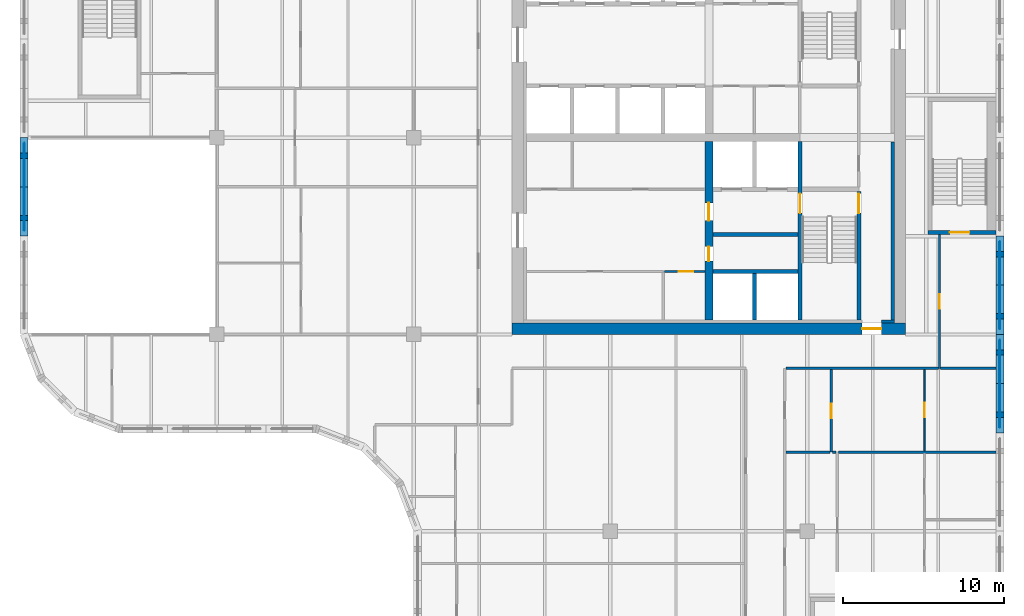
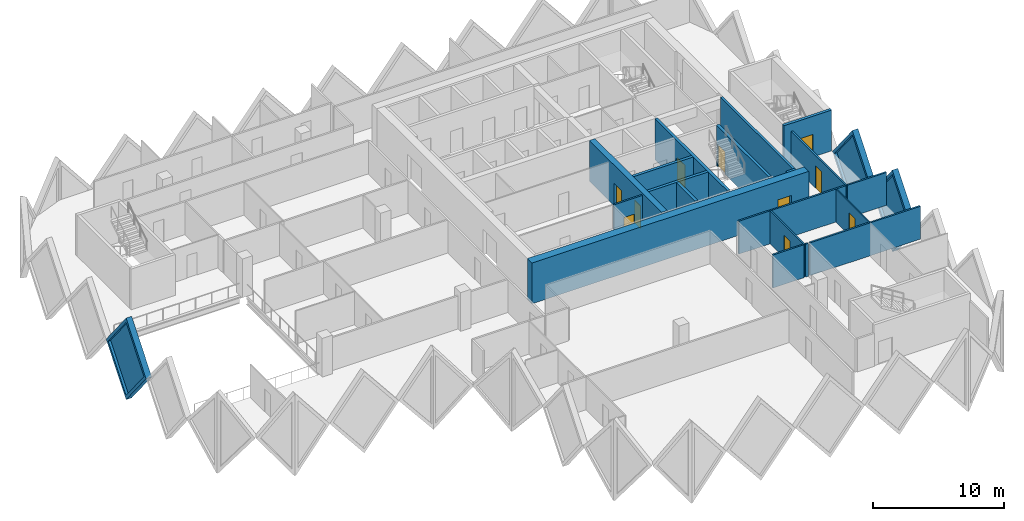
# One storey, part 6 of 12: 22 walls, 10 doors, 3 plates, 13 openings.
"""IFC4 building model written with IfcOpenShell, lengths in metres."""

from ifc_helpers import new_model, si_unit, direction, frame, frame_2d, origin, place, context, subcontext, project, spatial, polyline, rectangle, outline, extrude, faceted_brep, source, transform, mapped, material, layer, layer_set, type_object, element, fill, save


model = new_model("IFC4")

# Units and contexts
model_context = context("Model", 3, precision=1e-05, world=origin(), true_north=direction((0.0, 1.0)))
body_context = subcontext(model_context, "Body", "Model", "MODEL_VIEW")
ifc_project = project(units=[si_unit("LENGTHUNIT", "METRE"), si_unit("AREAUNIT", "SQUARE_METRE"), si_unit("VOLUMEUNIT", "CUBIC_METRE"), si_unit("PLANEANGLEUNIT", "RADIAN"), si_unit("MASSUNIT", "GRAM", prefix="KILO")], contexts=[model_context])

# Site, building, storey
site_placement = place(None, origin())
site = spatial("IfcSite", under=ifc_project, at=site_placement, CompositionType="ELEMENT")
building_placement = place(site_placement, origin())
building = spatial("IfcBuilding", under=site, at=building_placement, Name="Tessera Gate Towers", CompositionType="ELEMENT")
storey_placement = place(building_placement, frame((0.0, 0.0, 135.39990234375)))
storey = spatial("IfcBuildingStorey", under=building, at=storey_placement, Name="L33", CompositionType="ELEMENT", Elevation=135.39990234375)

# Wall, opening, door
ifc_material_1 = material(Name="Concrete C40/50", Category="concrete")
ifc_layer_1 = layer(ifc_material_1, 0.25)
ifc_layer_set_1 = layer_set([ifc_layer_1], Name="CORE ENCLOSURE WALL 250")
wall_type_1 = type_object("IfcWallType", Name="CORE ENCLOSURE WALL 250", PredefinedType="SOLIDWALL", material=ifc_layer_set_1)
wall_1_placement = place(storey_placement, frame((48.35009765625, 36.35009765625, 0.0), z_axis=(0.0, 0.0, 1.0), x_axis=(0.0, -1.0, 0.0)))
wall_1 = element("IfcWall", 1, at=wall_1_placement, inside=storey, type_object=wall_type_1, Name="L33 shaft and stair enclosure wall", PredefinedType="SOLIDWALL", context=body_context, shape_type="SweptSolid", body=[
    extrude(rectangle(XDim=11.050048828125, YDim=0.25, at=frame_2d((5.52490234375, 0.0))), origin(), (0.0, 0.0, 1.0), 3.800048828125),
])
shared_shape_1 = source(origin(), body_context, "Body", "SweptSolid", [
    extrude(rectangle(XDim=1.199951171875, YDim=2.10009765625, at=frame_2d((0.60009765625, 1.050048828125))), frame((0.0, 0.135009765625, 0.0), z_axis=(0.0, -1.0, 0.0), x_axis=(1.0, 0.0, 0.0)), (0.0, 0.0, 1.0), 0.27001953125),
])
opening_1_placement = place(wall_1_placement, frame((3.22509765625, 0.0, 0.0)))
opening_1 = element("IfcOpeningElement", 2, at=opening_1_placement, cuts=wall_1, Name="Opening SD-ST1-1", PredefinedType="OPENING", context=body_context, shape_type="MappedRepresentation", body=[
    mapped(shared_shape_1, transform((0.0, 0.0, 0.0), scale=1.0)),
])
ifc_material_2 = material(Name="Hollow steel fire door", Category="steel")
door_type_1 = type_object("IfcDoorType", Name="CORE DOOR SD 1200x2100", OperationType="NOTDEFINED", PredefinedType="DOOR", material=ifc_material_2)
shared_shape_2 = source(origin(), body_context, "Body", "SweptSolid", [
    extrude(rectangle(XDim=1.199951171875, YDim=2.10009765625, at=frame_2d((0.60009765625, 1.050048828125))), frame((0.0, 0.02490234375, 0.0), z_axis=(0.0, -1.0, 0.0), x_axis=(1.0, 0.0, 0.0)), (0.0, 0.0, 1.0), 0.050048828125),
])
door_1_placement = place(opening_1_placement, origin())
door_1 = element("IfcDoor", 3, at=door_1_placement, inside=storey, type_object=door_type_1, Name="Stair door", OperationType="SINGLE_SWING_LEFT", OverallHeight=2.10009765625, OverallWidth=1.199951171875, PredefinedType="DOOR", context=body_context, shape_type="MappedRepresentation", body=[
    mapped(shared_shape_2, transform((0.0, 0.0, 0.0), scale=1.0)),
])
fill(opening_1, door_1)

wall_2_placement = place(storey_placement, frame((52.0, 25.300048828125, 0.0), z_axis=(0.0, 0.0, 1.0), x_axis=(0.0, 1.0, 0.0)))
wall_2 = element("IfcWall", 4, at=wall_2_placement, inside=storey, type_object=wall_type_1, Name="L33 shaft and stair enclosure wall", PredefinedType="SOLIDWALL", context=body_context, shape_type="SweptSolid", body=[
    extrude(rectangle(XDim=7.974853515625, YDim=0.25, at=frame_2d((3.9873046875, 0.0))), origin(), (0.0, 0.0, 1.0), 3.800048828125),
])
opening_2_placement = place(wall_2_placement, frame((6.625, 0.0, 0.0)))
opening_2 = element("IfcOpeningElement", 5, at=opening_2_placement, cuts=wall_2, Name="Opening SD-ST1-2", PredefinedType="OPENING", context=body_context, shape_type="MappedRepresentation", body=[
    mapped(shared_shape_1, transform((0.0, 0.0, 0.0), scale=1.0)),
])
door_2_placement = place(opening_2_placement, origin())
door_2 = element("IfcDoor", 6, at=door_2_placement, inside=storey, type_object=door_type_1, Name="Stair door", OperationType="SINGLE_SWING_RIGHT", OverallHeight=2.10009765625, OverallWidth=1.199951171875, PredefinedType="DOOR", context=body_context, shape_type="MappedRepresentation", body=[
    mapped(shared_shape_2, transform((0.0, 0.0, 0.0), scale=1.0)),
])
fill(opening_2, door_2)

# Walls
for number, where, z_axis, x_axis, name in (
    (7, (42.949951171875, 28.300048828125, 0.0), (0.0, 0.0, 1.0), (1.0, 0.0, 0.0), "L33 shaft and stair enclosure wall"),
    (8, (42.949951171875, 30.60009765625, 0.0), (0.0, 0.0, 1.0), (1.0, 0.0, 0.0), "L33 shaft and stair enclosure wall"),
):
    element("IfcWall", number, at=place(storey_placement, frame(where, z_axis=z_axis, x_axis=x_axis)), inside=storey, type_object=wall_type_1, Name=name, PredefinedType="SOLIDWALL", context=body_context, shape_type="SweptSolid", body=[
        extrude(rectangle(XDim=5.275146484375, YDim=0.25, at=frame_2d((2.6376953125, 0.0))), origin(), (0.0, 0.0, 1.0), 3.800048828125),
    ])
wall_3_placement = place(storey_placement, frame((45.52490234375, 25.300048828125, 0.0), z_axis=(0.0, 0.0, 1.0), x_axis=(0.0, 1.0, 0.0)))
element("IfcWall", 9, at=wall_3_placement, inside=storey, type_object=wall_type_1, Name="L33 shaft and stair enclosure wall", PredefinedType="SOLIDWALL", context=body_context, shape_type="SweptSolid", body=[
    extrude(rectangle(XDim=2.875, YDim=0.25, at=frame_2d((1.4375, 0.0))), origin(), (0.0, 0.0, 1.0), 3.800048828125),
])

# Wall, opening, door
wall_4_placement = place(storey_placement, frame((60.5, 30.72509765625, 0.0), z_axis=(0.0, 0.0, 1.0), x_axis=(-1.0, 0.0, 0.0)))
wall_4 = element("IfcWall", 10, at=wall_4_placement, inside=storey, type_object=wall_type_1, Name="L33 ST5 enclosure wall", PredefinedType="SOLIDWALL", context=body_context, shape_type="SweptSolid", body=[
    extrude(rectangle(XDim=4.199951171875, YDim=0.25, at=frame_2d((2.10009765625, 0.0))), origin(), (0.0, 0.0, 1.0), 3.800048828125),
])
opening_3_placement = place(wall_4_placement, frame((1.64990234375, 0.0, 0.0)))
opening_3 = element("IfcOpeningElement", 11, at=opening_3_placement, cuts=wall_4, Name="Opening SD-ST5-1", PredefinedType="OPENING", context=body_context, shape_type="MappedRepresentation", body=[
    mapped(shared_shape_1, transform((0.0, 0.0, 0.0), scale=1.0)),
])
door_3_placement = place(opening_3_placement, origin())
door_3 = element("IfcDoor", 12, at=door_3_placement, inside=storey, type_object=door_type_1, Name="Stair door", OperationType="SINGLE_SWING_RIGHT", OverallHeight=2.10009765625, OverallWidth=1.199951171875, PredefinedType="DOOR", context=body_context, shape_type="MappedRepresentation", body=[
    mapped(shared_shape_2, transform((0.0, 0.0, 0.0), scale=1.0)),
])
fill(opening_3, door_3)

ifc_material_3 = material(Name="Concrete C60/75", Category="concrete")
ifc_layer_2 = layer(ifc_material_3, 0.699951171875)
ifc_layer_set_2 = layer_set([ifc_layer_2], Name="CORE SHEAR WALL 700 C60/75")
wall_type_2 = type_object("IfcWallType", Name="CORE SHEAR WALL 700 C60/75", PredefinedType="SHEAR", material=ifc_layer_set_2)
wall_5_placement = place(storey_placement, frame((54.89990234375, 24.75, 0.0), z_axis=(0.0, 0.0, 1.0), x_axis=(-1.0, 0.0, 0.0)))
wall_5 = element("IfcWall", 13, at=wall_5_placement, inside=storey, type_object=wall_type_2, Name="Core wall S L33", PredefinedType="SHEAR", context=body_context, shape_type="SweptSolid", body=[
    extrude(rectangle(XDim=24.39990234375, YDim=0.699951171875, at=frame_2d((12.199951171875, 0.0))), origin(), (0.0, 0.0, 1.0), 3.800048828125),
])
shared_shape_3 = source(origin(), body_context, "Body", "SweptSolid", [
    extrude(rectangle(XDim=1.199951171875, YDim=2.10009765625, at=frame_2d((0.60009765625, 1.050048828125))), frame((0.0, 0.35986328125, 0.0), z_axis=(0.0, -1.0, 0.0), x_axis=(1.0, 0.0, 0.0)), (0.0, 0.0, 1.0), 0.719970703125),
])
opening_4_placement = place(wall_5_placement, frame((1.5, 0.0, 0.0)))
opening_4 = element("IfcOpeningElement", 14, at=opening_4_placement, cuts=wall_5, Name="Opening ED-T1-22-01", PredefinedType="OPENING", context=body_context, shape_type="MappedRepresentation", body=[
    mapped(shared_shape_3, transform((0.0, 0.0, 0.0), scale=1.0)),
])
ifc_material_4 = material(Name="Hollow steel fire door", Category="steel")
door_type_2 = type_object("IfcDoorType", Name="CORE DOOR ED 1200x2100", OperationType="NOTDEFINED", PredefinedType="DOOR", material=ifc_material_4)
door_4_placement = place(opening_4_placement, origin())
door_4 = element("IfcDoor", 15, at=door_4_placement, inside=storey, type_object=door_type_2, Name="Core exit door", OperationType="SINGLE_SWING_LEFT", OverallHeight=2.10009765625, OverallWidth=1.199951171875, PredefinedType="DOOR", context=body_context, shape_type="MappedRepresentation", body=[
    mapped(shared_shape_2, transform((0.0, 0.0, 0.0), scale=1.0)),
])
fill(opening_4, door_4)

# Wall, openings, doors
ifc_material_5 = material(Name="Concrete C60/75", Category="concrete")
ifc_layer_3 = layer(ifc_material_5, 0.5)
ifc_layer_set_3 = layer_set([ifc_layer_3], Name="CORE SPINE WALL 500 C60/75")
wall_type_3 = type_object("IfcWallType", Name="CORE SPINE WALL 500 C60/75", PredefinedType="SHEAR", material=ifc_layer_set_3)
wall_6_placement = place(storey_placement, frame((42.699951171875, 36.35009765625, 0.0), z_axis=(0.0, 0.0, 1.0), x_axis=(0.0, -1.0, 0.0)))
wall_6 = element("IfcWall", 16, at=wall_6_placement, inside=storey, type_object=wall_type_3, Name="Core wall spine L33", PredefinedType="SHEAR", context=body_context, shape_type="SweptSolid", body=[
    extrude(rectangle(XDim=11.050048828125, YDim=0.5, at=frame_2d((5.52490234375, 0.0))), origin(), (0.0, 0.0, 1.0), 3.800048828125),
])
shared_shape_4 = source(origin(), body_context, "Body", "SweptSolid", [
    extrude(rectangle(XDim=0.89990234375, YDim=2.10009765625, at=frame_2d((0.449951171875, 1.050048828125))), frame((0.0, 0.260009765625, 0.0), z_axis=(0.0, -1.0, 0.0), x_axis=(1.0, 0.0, 0.0)), (0.0, 0.0, 1.0), 0.52001953125),
])
opening_5_placement = place(wall_6_placement, frame((6.5, 0.0, 0.0)))
opening_5 = element("IfcOpeningElement", 17, at=opening_5_placement, cuts=wall_6, Name="Opening RD-T1-22-05", PredefinedType="OPENING", context=body_context, shape_type="MappedRepresentation", body=[
    mapped(shared_shape_4, transform((0.0, 0.0, 0.0), scale=1.0)),
])
shared_shape_5 = source(origin(), body_context, "Body", "SweptSolid", [
    extrude(rectangle(XDim=1.10009765625, YDim=2.10009765625, at=frame_2d((0.550048828125, 1.050048828125))), frame((0.0, 0.260009765625, 0.0), z_axis=(0.0, -1.0, 0.0), x_axis=(1.0, 0.0, 0.0)), (0.0, 0.0, 1.0), 0.52001953125),
])
opening_6_placement = place(wall_6_placement, frame((3.800048828125, 0.0, 0.0)))
opening_6 = element("IfcOpeningElement", 18, at=opening_6_placement, cuts=wall_6, Name="Opening FD-T1-22-06", PredefinedType="OPENING", context=body_context, shape_type="MappedRepresentation", body=[
    mapped(shared_shape_5, transform((0.0, 0.0, 0.0), scale=1.0)),
])
ifc_material_6 = material(Name="Hollow steel fire door", Category="steel")
door_type_3 = type_object("IfcDoorType", Name="CORE DOOR RD 900x2100", OperationType="NOTDEFINED", PredefinedType="DOOR", material=ifc_material_6)
shared_shape_6 = source(origin(), body_context, "Body", "SweptSolid", [
    extrude(rectangle(XDim=0.89990234375, YDim=2.10009765625, at=frame_2d((0.449951171875, 1.050048828125))), frame((0.0, 0.02490234375, 0.0), z_axis=(0.0, -1.0, 0.0), x_axis=(1.0, 0.0, 0.0)), (0.0, 0.0, 1.0), 0.050048828125),
])
door_5_placement = place(opening_5_placement, origin())
door_5 = element("IfcDoor", 19, at=door_5_placement, inside=storey, type_object=door_type_3, Name="Core room door", OperationType="SINGLE_SWING_RIGHT", OverallHeight=2.10009765625, OverallWidth=0.89990234375, PredefinedType="DOOR", context=body_context, shape_type="MappedRepresentation", body=[
    mapped(shared_shape_6, transform((0.0, 0.0, 0.0), scale=1.0)),
])
fill(opening_5, door_5)
ifc_material_7 = material(Name="Hollow steel fire door", Category="steel")
door_type_4 = type_object("IfcDoorType", Name="CORE DOOR FD 1100x2100", OperationType="NOTDEFINED", PredefinedType="DOOR", material=ifc_material_7)
shared_shape_7 = source(origin(), body_context, "Body", "SweptSolid", [
    extrude(rectangle(XDim=1.10009765625, YDim=2.10009765625, at=frame_2d((0.550048828125, 1.050048828125))), frame((0.0, 0.02490234375, 0.0), z_axis=(0.0, -1.0, 0.0), x_axis=(1.0, 0.0, 0.0)), (0.0, 0.0, 1.0), 0.050048828125),
])
door_6_placement = place(opening_6_placement, origin())
door_6 = element("IfcDoor", 20, at=door_6_placement, inside=storey, type_object=door_type_4, Name="Fire-fighting lobby door", OperationType="SINGLE_SWING_LEFT", OverallHeight=2.10009765625, OverallWidth=1.10009765625, PredefinedType="DOOR", context=body_context, shape_type="MappedRepresentation", body=[
    mapped(shared_shape_7, transform((0.0, 0.0, 0.0), scale=1.0)),
])
fill(opening_6, door_6)

# Walls
ifc_material_8 = material(Name="Concrete C60/75", Category="concrete")
ifc_layer_4 = layer(ifc_material_8, 0.199951171875)
ifc_layer_set_4 = layer_set([ifc_layer_4], Name="CORE WALL THICKENING 200")
wall_type_4 = type_object("IfcWallType", Name="CORE WALL THICKENING 200", PredefinedType="SOLIDWALL", material=ifc_layer_set_4)
wall_7_placement = place(storey_placement, frame((53.39990234375, 25.199951171875, 0.0), z_axis=(0.0, 0.0, 1.0), x_axis=(1.0, 0.0, 0.0)))
element("IfcWall", 21, at=wall_7_placement, inside=storey, type_object=wall_type_4, Name="Core wall thickening S L33", PredefinedType="SOLIDWALL", context=body_context, shape_type="SweptSolid", body=[
    extrude(rectangle(XDim=0.800048828125, YDim=0.199951171875, at=frame_2d((0.39990234375, 0.0))), origin(), (0.0, 0.0, 1.0), 3.800048828125),
])
wall_8_placement = place(storey_placement, frame((54.10009765625, 25.300048828125, 0.0), z_axis=(0.0, 0.0, 1.0), x_axis=(0.0, 1.0, 0.0)))
element("IfcWall", 22, at=wall_8_placement, inside=storey, type_object=wall_type_4, Name="Core wall thickening E L33", PredefinedType="SOLIDWALL", context=body_context, shape_type="SweptSolid", body=[
    extrude(rectangle(XDim=11.02001953125, YDim=0.199951171875, at=frame_2d((5.510009765625, 0.0))), origin(), (0.0, 0.0, 1.0), 3.800048828125),
])
ifc_material_9 = material(Name="Gypsum board on steel studs, mineral wool", Category="steel")
ifc_layer_5 = layer(ifc_material_9, 0.14990234375)
ifc_layer_set_5 = layer_set([ifc_layer_5], Name="CORRIDOR WALL 150")
wall_type_5 = type_object("IfcWallType", Name="CORRIDOR WALL 150", PredefinedType="PARTITIONING", material=ifc_layer_set_5)
wall_9_placement = place(storey_placement, frame((47.47607421875, 22.300048828125, 0.0), z_axis=(0.0, 0.0, 1.0), x_axis=(1.0, 0.0, 0.0)))
element("IfcWall", 23, at=wall_9_placement, inside=storey, type_object=wall_type_5, Name="T1-L33-PW-027", PredefinedType="PARTITIONING", context=body_context, shape_type="SweptSolid", body=[
    extrude(rectangle(XDim=9.447998046875, YDim=0.14990234375, at=frame_2d((4.72412109375, 0.0))), origin(), (0.0, 0.0, 1.0), 3.067138671875),
])

# Wall, opening, door
wall_10_placement = place(storey_placement, frame((57.0, 30.60009765625, 0.0), z_axis=(0.0, 0.0, 1.0), x_axis=(0.0, -1.0, 0.0)))
wall_10 = element("IfcWall", 24, at=wall_10_placement, inside=storey, type_object=wall_type_5, Name="T1-L33-PW-028", PredefinedType="PARTITIONING", context=body_context, shape_type="SweptSolid", body=[
    extrude(rectangle(XDim=8.300048828125, YDim=0.14990234375, at=frame_2d((4.14990234375, 0.0))), origin(), (0.0, 0.0, 1.0), 3.067138671875),
])
shared_shape_8 = source(origin(), body_context, "Body", "SweptSolid", [
    extrude(rectangle(XDim=0.89990234375, YDim=2.10009765625, at=frame_2d((0.449951171875, 1.050048828125))), frame((0.0, 0.0849609375, 0.0), z_axis=(0.0, -1.0, 0.0), x_axis=(1.0, 0.0, 0.0)), (0.0, 0.0, 1.0), 0.169921875),
])
opening_7_placement = place(wall_10_placement, frame((3.699951171875, 0.0, 0.0)))
opening_7 = element("IfcOpeningElement", 25, at=opening_7_placement, cuts=wall_10, Name="Opening D890FD60-A12-06", PredefinedType="OPENING", context=body_context, shape_type="MappedRepresentation", body=[
    mapped(shared_shape_8, transform((0.0, 0.0, 0.0), scale=1.0)),
])
ifc_material_10 = material(Name="Timber door leaf in steel frame", Category="steel")
door_type_5 = type_object("IfcDoorType", Name="CORRIDOR DOOR 900 FD60", OperationType="NOTDEFINED", PredefinedType="DOOR", material=ifc_material_10)
door_7_placement = place(opening_7_placement, origin())
door_7 = element("IfcDoor", 26, at=door_7_placement, inside=storey, type_object=door_type_5, Name="T1-L33-PD-024", OperationType="SINGLE_SWING_RIGHT", OverallHeight=2.10009765625, OverallWidth=0.89990234375, PredefinedType="DOOR", context=body_context, shape_type="MappedRepresentation", body=[
    mapped(shared_shape_6, transform((0.0, 0.0, 0.0), scale=1.0)),
])
fill(opening_7, door_7)

ifc_material_11 = material(Name="Gypsum board on steel studs", Category="steel")
ifc_layer_6 = layer(ifc_material_11, 0.10009765625)
ifc_layer_set_6 = layer_set([ifc_layer_6], Name="PARTITION 100")
wall_type_6 = type_object("IfcWallType", Name="PARTITION 100", PredefinedType="PARTITIONING", material=ifc_layer_set_6)
wall_11_placement = place(storey_placement, frame((56.076904296875, 22.22412109375, 0.0), z_axis=(0.0, 0.0, 1.0), x_axis=(0.0, -1.0, 0.0)))
wall_11 = element("IfcWall", 27, at=wall_11_placement, inside=storey, type_object=wall_type_6, Name="T1-L33-PW-020", PredefinedType="PARTITIONING", context=body_context, shape_type="SweptSolid", body=[
    extrude(rectangle(XDim=5.048095703125, YDim=0.10009765625, at=frame_2d((2.52392578125, 0.0))), origin(), (0.0, 0.0, 1.0), 3.067138671875),
])
shared_shape_9 = source(origin(), body_context, "Body", "SweptSolid", [
    extrude(rectangle(XDim=0.89990234375, YDim=2.10009765625, at=frame_2d((0.449951171875, 1.050048828125))), frame((0.0, 0.06005859375, 0.0), z_axis=(0.0, -1.0, 0.0), x_axis=(1.0, 0.0, 0.0)), (0.0, 0.0, 1.0), 0.1201171875),
])
opening_8_placement = place(wall_11_placement, frame((2.048095703125, 0.0, 0.0)))
opening_8 = element("IfcOpeningElement", 28, at=opening_8_placement, cuts=wall_11, Name="Opening D190-A12-09", PredefinedType="OPENING", context=body_context, shape_type="MappedRepresentation", body=[
    mapped(shared_shape_9, transform((0.0, 0.0, 0.0), scale=1.0)),
])
ifc_material_12 = material(Name="Timber door leaf in steel frame", Category="steel")
door_type_6 = type_object("IfcDoorType", Name="INTERNAL DOOR 900 NOT RATED", OperationType="NOTDEFINED", PredefinedType="DOOR", material=ifc_material_12)
door_8_placement = place(opening_8_placement, origin())
door_8 = element("IfcDoor", 29, at=door_8_placement, inside=storey, type_object=door_type_6, Name="T1-L33-PD-012", OperationType="SINGLE_SWING_RIGHT", OverallHeight=2.10009765625, OverallWidth=0.89990234375, PredefinedType="DOOR", context=body_context, shape_type="MappedRepresentation", body=[
    mapped(shared_shape_6, transform((0.0, 0.0, 0.0), scale=1.0)),
])
fill(opening_8, door_8)

ifc_material_13 = material(Name="Gypsum board on steel studs", Category="steel")
ifc_layer_7 = layer(ifc_material_13, 0.14990234375)
ifc_layer_set_7 = layer_set([ifc_layer_7], Name="SERVICE ROOM WALL 150")
wall_type_7 = type_object("IfcWallType", Name="SERVICE ROOM WALL 150", PredefinedType="PARTITIONING", material=ifc_layer_set_7)
wall_12_placement = place(storey_placement, frame((42.449951171875, 28.300048828125, 0.0), z_axis=(0.0, 0.0, 1.0), x_axis=(-1.0, 0.0, 0.0)))
wall_12 = element("IfcWall", 30, at=wall_12_placement, inside=storey, type_object=wall_type_7, Name="L33 service room wall", PredefinedType="PARTITIONING", context=body_context, shape_type="SweptSolid", body=[
    extrude(rectangle(XDim=2.5, YDim=0.14990234375, at=frame_2d((1.25, 0.0))), origin(), (0.0, 0.0, 1.0), 3.60009765625),
])
opening_9_placement = place(wall_12_placement, frame((0.71240234375, 0.0, 0.0)))
opening_9 = element("IfcOpeningElement", 31, at=opening_9_placement, cuts=wall_12, Name="Opening RD-T1-22-15", PredefinedType="OPENING", context=body_context, shape_type="MappedRepresentation", body=[
    mapped(shared_shape_8, transform((0.0, 0.0, 0.0), scale=1.0)),
])
door_9_placement = place(opening_9_placement, origin())
door_9 = element("IfcDoor", 32, at=door_9_placement, inside=storey, type_object=door_type_3, Name="Core room door", OperationType="SINGLE_SWING_LEFT", OverallHeight=2.10009765625, OverallWidth=0.89990234375, PredefinedType="DOOR", context=body_context, shape_type="MappedRepresentation", body=[
    mapped(shared_shape_6, transform((0.0, 0.0, 0.0), scale=1.0)),
])
fill(opening_9, door_9)

# Wall
ifc_material_14 = material(Name="Gypsum board on steel studs, mineral wool", Category="steel")
ifc_layer_8 = layer(ifc_material_14, 0.14990234375)
ifc_layer_set_8 = layer_set([ifc_layer_8], Name="TENANCY WALL 150")
wall_type_8 = type_object("IfcWallType", Name="TENANCY WALL 150", PredefinedType="PARTITIONING", material=ifc_layer_set_8)
wall_13_placement = place(storey_placement, frame((47.47607421875, 17.10009765625, 0.0), z_axis=(0.0, 0.0, 1.0), x_axis=(1.0, 0.0, 0.0)))
element("IfcWall", 33, at=wall_13_placement, inside=storey, type_object=wall_type_8, Name="T1-L33-PW-016", PredefinedType="PARTITIONING", context=body_context, shape_type="SweptSolid", body=[
    extrude(rectangle(XDim=2.748046875, YDim=0.14990234375, at=frame_2d((1.3740234375, 0.0))), origin(), (0.0, 0.0, 1.0), 3.067138671875),
])

# Wall, opening, door
wall_14_placement = place(storey_placement, frame((50.300048828125, 22.22412109375, 0.0), z_axis=(0.0, 0.0, 1.0), x_axis=(0.0, -1.0, 0.0)))
wall_14 = element("IfcWall", 34, at=wall_14_placement, inside=storey, type_object=wall_type_8, Name="T1-L33-PW-017", PredefinedType="PARTITIONING", context=body_context, shape_type="SweptSolid", body=[
    extrude(rectangle(XDim=5.1240234375, YDim=0.14990234375, at=frame_2d((2.56201171875, 0.0))), origin(), (0.0, 0.0, 1.0), 3.067138671875),
])
opening_10_placement = place(wall_14_placement, frame((2.1240234375, 0.0, 0.0)))
opening_10 = element("IfcOpeningElement", 35, at=opening_10_placement, cuts=wall_14, Name="Opening D190-A12-10", PredefinedType="OPENING", context=body_context, shape_type="MappedRepresentation", body=[
    mapped(shared_shape_8, transform((0.0, 0.0, 0.0), scale=1.0)),
])
door_10_placement = place(opening_10_placement, origin())
door_10 = element("IfcDoor", 36, at=door_10_placement, inside=storey, type_object=door_type_6, Name="T1-L33-PD-013", OperationType="SINGLE_SWING_RIGHT", OverallHeight=2.10009765625, OverallWidth=0.89990234375, PredefinedType="DOOR", context=body_context, shape_type="MappedRepresentation", body=[
    mapped(shared_shape_6, transform((0.0, 0.0, 0.0), scale=1.0)),
])
fill(opening_10, door_10)

# Walls
wall_15_placement = place(storey_placement, frame((50.3759765625, 17.10009765625, 0.0), z_axis=(0.0, 0.0, 1.0), x_axis=(1.0, 0.0, 0.0)))
element("IfcWall", 37, at=wall_15_placement, inside=storey, type_object=wall_type_8, Name="T1-L33-PW-018", PredefinedType="PARTITIONING", context=body_context, shape_type="SweptSolid", body=[
    extrude(rectangle(XDim=0.22314453125, YDim=0.14990234375, at=frame_2d((0.111572265625, 0.0))), origin(), (0.0, 0.0, 1.0), 3.067138671875),
])
wall_16_placement = place(storey_placement, frame((50.7509765625, 17.10009765625, 0.0), z_axis=(0.0, 0.0, 1.0), x_axis=(1.0, 0.0, 0.0)))
element("IfcWall", 38, at=wall_16_placement, inside=storey, type_object=wall_type_8, Name="T1-L33-PW-019", PredefinedType="PARTITIONING", context=body_context, shape_type="SweptSolid", body=[
    extrude(rectangle(XDim=9.7490234375, YDim=0.14990234375, at=frame_2d((4.87451171875, 0.0))), origin(), (0.0, 0.0, 1.0), 3.067138671875),
])
wall_17_placement = place(storey_placement, frame((57.075927734375, 22.300048828125, 0.0), z_axis=(0.0, 0.0, 1.0), x_axis=(1.0, 0.0, 0.0)))
element("IfcWall", 39, at=wall_17_placement, inside=storey, type_object=wall_type_8, Name="T1-L33-PW-029", PredefinedType="PARTITIONING", context=body_context, shape_type="SweptSolid", body=[
    extrude(rectangle(XDim=3.424072265625, YDim=0.14990234375, at=frame_2d((1.7119140625, 0.0))), origin(), (0.0, 0.0, 1.0), 3.067138671875),
])

# Wall, opening, plate
ifc_material_15 = material(Name="Precast concrete C60/75 white", Category="concrete")
ifc_layer_9 = layer(ifc_material_15, 0.5)
ifc_layer_set_9 = layer_set([ifc_layer_9], Name="TS1 tessera")
wall_type_9 = type_object("IfcWallType", Name="TS1 tessera", PredefinedType="SOLIDWALL", material=ifc_layer_set_9)
shared_shape_10 = source(origin(), body_context, "Body", "Brep", [
    faceted_brep([(3.050048828125, -0.25, 0.0), (6.099853515625, -0.25, 3.799560546875), (6.099853515625, -0.25, 3.800048828125), (3.050048828125, -0.25, 7.599853515625), (0.0, -0.25, 3.7998046875), (0.0, 0.25, 3.7998046875), (3.050048828125, 0.25, 7.599853515625), (6.099853515625, 0.25, 3.800048828125), (6.099853515625, 0.25, 3.799560546875), (3.050048828125, 0.25, 0.0)], [[[0, 1, 2, 3, 4]], [[5, 6, 7, 8, 9]], [[9, 8, 1, 0]], [[7, 6, 3, 2]], [[6, 5, 4, 3]], [[5, 9, 0, 4]], [[1, 8, 7, 2]]]),
])
wall_18_placement = place(storey_placement, frame((60.75, 18.300048828125, -3.7998046875), z_axis=(0.0, 0.0, 1.0), x_axis=(0.0, 1.0, 0.0)))
wall_18 = element("IfcWall", 40, at=wall_18_placement, inside=storey, type_object=wall_type_9, Name="Precast tessera T1 TS1-0557", PredefinedType="SOLIDWALL", context=body_context, shape_type="MappedRepresentation", body=[
    mapped(shared_shape_10, transform((0.0, 0.0, 0.0), scale=1.0)),
])
shared_shape_11 = source(origin(), body_context, "Body", "SweptSolid", [
    extrude(outline(polyline([(3.050048828125, 0.3994140625), (5.779541015625, 3.7998046875), (3.050048828125, 7.200439453125), (0.320556640625, 3.7998046875), (3.050048828125, 0.3994140625)])), frame((0.0, 0.260009765625, 0.0), z_axis=(0.0, -1.0, 0.0), x_axis=(1.0, 0.0, 0.0)), (0.0, 0.0, 1.0), 0.52001953125),
])
opening_11_placement = place(wall_18_placement, origin())
opening_11 = element("IfcOpeningElement", 41, at=opening_11_placement, cuts=wall_18, Name="Opening T1-PL2-1139", PredefinedType="OPENING", context=body_context, shape_type="MappedRepresentation", body=[
    mapped(shared_shape_11, transform((0.0, 0.0, 0.0), scale=1.0)),
])
ifc_material_16 = material(Name="Low-e laminated glass", Category="glass")
ifc_layer_10 = layer(ifc_material_16, 0.06005859375)
ifc_layer_set_10 = layer_set([ifc_layer_10], Name="PL2 rhombic pane")
plate_type = type_object("IfcPlateType", Name="PL2 rhombic pane", PredefinedType="SHEET", material=ifc_layer_set_10)
shared_shape_12 = source(origin(), body_context, "Body", "SweptSolid", [
    extrude(outline(polyline([(3.050048828125, 0.3994140625), (5.779541015625, 3.7998046875), (3.050048828125, 7.200439453125), (0.320556640625, 3.7998046875), (3.050048828125, 0.3994140625)])), frame((0.0, 0.030029296875, 0.0), z_axis=(0.0, -1.0, 0.0), x_axis=(1.0, 0.0, 0.0)), (0.0, 0.0, 1.0), 0.06005859375),
])
plate_1_placement = place(opening_11_placement, origin())
plate_1 = element("IfcPlate", 42, at=plate_1_placement, inside=storey, type_object=plate_type, Name="Glass pane T1 PL2-1139", PredefinedType="SHEET", context=body_context, shape_type="MappedRepresentation", body=[
    mapped(shared_shape_12, transform((0.0, 0.0, 0.0), scale=1.0)),
])
fill(opening_11, plate_1)

shared_shape_13 = source(origin(), body_context, "Body", "SweptSolid", [
    extrude(outline(polyline([(3.050048828125, 0.0), (6.10009765625, 3.7998046875), (3.050048828125, 7.599853515625), (0.0, 3.7998046875), (3.050048828125, 0.0)])), frame((0.0, 0.25, 0.0), z_axis=(0.0, -1.0, 0.0), x_axis=(1.0, 0.0, 0.0)), (0.0, 0.0, 1.0), 0.5),
])
wall_19_placement = place(storey_placement, frame((60.75, 24.39990234375, -3.7998046875), z_axis=(0.0, 0.0, 1.0), x_axis=(0.0, 1.0, 0.0)))
wall_19 = element("IfcWall", 43, at=wall_19_placement, inside=storey, type_object=wall_type_9, Name="Precast tessera T1 TS1-0558", PredefinedType="SOLIDWALL", context=body_context, shape_type="MappedRepresentation", body=[
    mapped(shared_shape_13, transform((0.0, 0.0, 0.0), scale=1.0)),
])
opening_12_placement = place(wall_19_placement, origin())
opening_12 = element("IfcOpeningElement", 44, at=opening_12_placement, cuts=wall_19, Name="Opening T1-PL2-1140", PredefinedType="OPENING", context=body_context, shape_type="MappedRepresentation", body=[
    mapped(shared_shape_11, transform((0.0, 0.0, 0.0), scale=1.0)),
])
plate_2_placement = place(opening_12_placement, origin())
plate_2 = element("IfcPlate", 45, at=plate_2_placement, inside=storey, type_object=plate_type, Name="Glass pane T1 PL2-1140", PredefinedType="SHEET", context=body_context, shape_type="MappedRepresentation", body=[
    mapped(shared_shape_12, transform((0.0, 0.0, 0.0), scale=1.0)),
])
fill(opening_12, plate_2)

wall_20_placement = place(storey_placement, frame((0.25, 36.60009765625, -3.7998046875), z_axis=(0.0, 0.0, 1.0), x_axis=(0.0, -1.0, 0.0)))
wall_20 = element("IfcWall", 46, at=wall_20_placement, inside=storey, type_object=wall_type_9, Name="Precast tessera T1 TS1-0571", PredefinedType="SOLIDWALL", context=body_context, shape_type="MappedRepresentation", body=[
    mapped(shared_shape_13, transform((0.0, 0.0, 0.0), scale=1.0)),
])
opening_13_placement = place(wall_20_placement, origin())
opening_13 = element("IfcOpeningElement", 47, at=opening_13_placement, cuts=wall_20, Name="Opening T1-PL2-1161", PredefinedType="OPENING", context=body_context, shape_type="MappedRepresentation", body=[
    mapped(shared_shape_11, transform((0.0, 0.0, 0.0), scale=1.0)),
])
plate_3_placement = place(opening_13_placement, origin())
plate_3 = element("IfcPlate", 48, at=plate_3_placement, inside=storey, type_object=plate_type, Name="Glass pane T1 PL2-1161", PredefinedType="SHEET", context=body_context, shape_type="MappedRepresentation", body=[
    mapped(shared_shape_12, transform((0.0, 0.0, 0.0), scale=1.0)),
])
fill(opening_13, plate_3)

save(model, "model.ifc")
